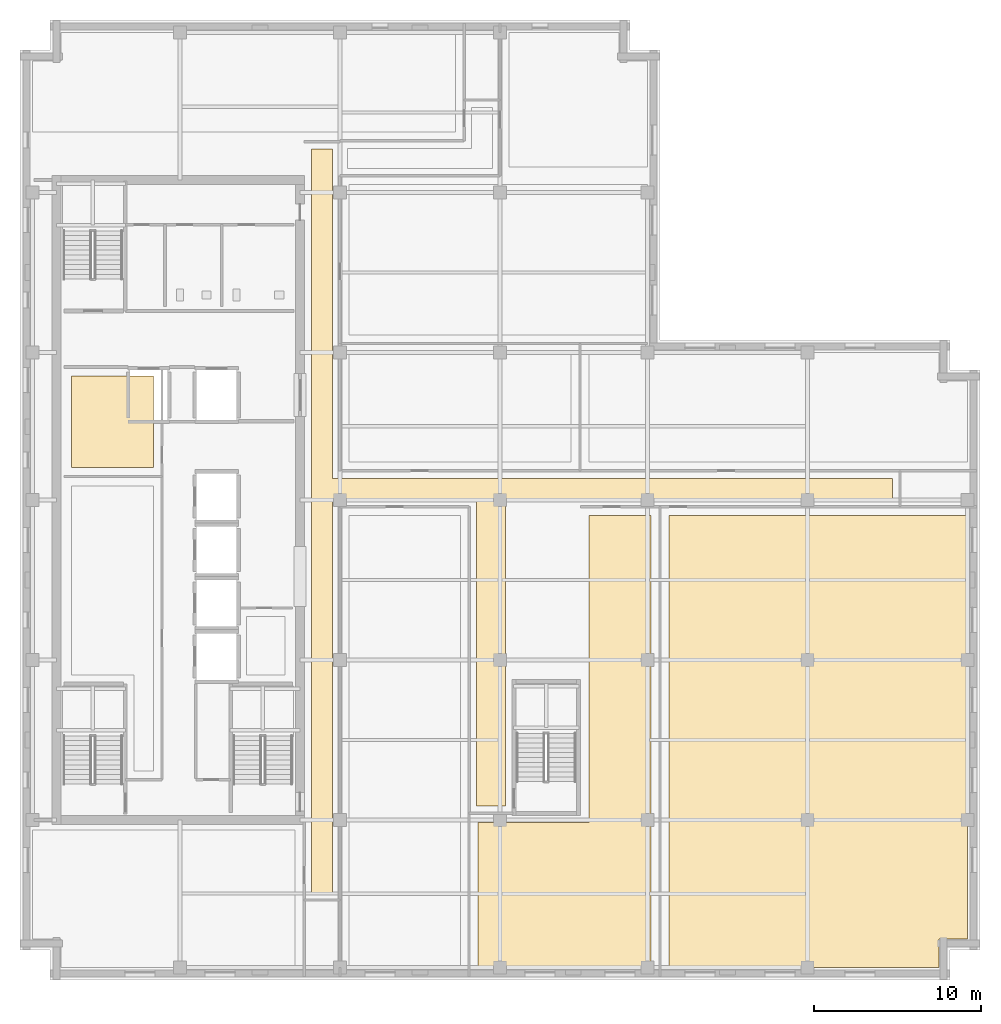
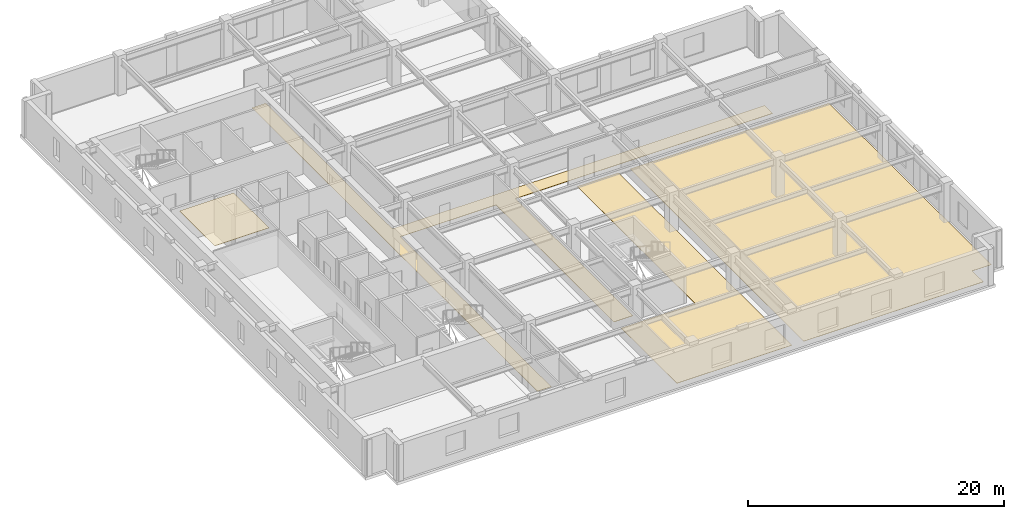
# One storey, part 8 of 11: 4 coverings.
"""IFC4 building model written with IfcOpenShell, lengths in metres."""

import ifcopenshell
import ifcopenshell.guid

model = None  # the IFC model being written
_history = None  # IfcOwnerHistory: only IFC2X3 demands one
_inside = {}  # id of a spatial element -> (the spatial element, [elements in it])
_under = {}  # id of a project, library or spatial element -> (it, [spatial elements below it])
_declared = {}  # id of a project -> (the project, [libraries it declares])
_typed = {}  # id of a type object -> (the type object, [elements of that type])
_made_of = {}  # id of a material, layer set ... -> (it, [elements and type objects made of it])


def new_model(schema):
    """Start an empty IFC model of exactly this schema.

    Asked for "IFC4X3", IfcOpenShell would pick the latest addendum, in which some entities
    have other attributes; the version numbers below select the first issue.
    IFC2X3 requires an IfcOwnerHistory on every rooted entity: one is made here for all.
    """
    global model, _history
    if schema == "IFC4X3":
        model = ifcopenshell.file(schema_version=(4, 3, 0, 0))
    else:
        model = ifcopenshell.file(schema=schema)
    _inside.clear()
    _under.clear()
    _declared.clear()
    _typed.clear()
    _made_of.clear()
    _history = None
    if model.schema == "IFC2X3":
        org = make("IfcOrganization", Name="unknown")
        user = make(
            "IfcPersonAndOrganization",
            ThePerson=make("IfcPerson", FamilyName="unknown"),
            TheOrganization=org,
        )
        app = make(
            "IfcApplication",
            ApplicationDeveloper=org,
            Version="unknown",
            ApplicationFullName="unknown",
            ApplicationIdentifier="unknown",
        )
        _history = make(
            "IfcOwnerHistory",
            OwningUser=user,
            OwningApplication=app,
            ChangeAction="ADDED",
            CreationDate=0,
        )
    return model


def make(cls, **values):
    """One entity of the class cls with the attributes given. An attribute that is None is left unset."""
    return model.create_entity(
        cls, **{name: value for name, value in values.items() if value is not None}
    )


def rooted(cls, **values):
    """An entity with a GlobalId (a new one), such as an element, a storey or a relation."""
    return make(cls, GlobalId=ifcopenshell.guid.new(), OwnerHistory=_history, **values)


def si_unit(unit_type, name, prefix=None):
    """IfcSIUnit, for example si_unit("LENGTHUNIT", "METRE", prefix="MILLI")."""
    return make("IfcSIUnit", UnitType=unit_type, Prefix=prefix, Name=name)


def assignment(units):
    """IfcUnitAssignment: the units of a project."""
    return None if units is None else make("IfcUnitAssignment", Units=units)


def point(xyz):
    """IfcCartesianPoint."""
    return None if xyz is None else make("IfcCartesianPoint", Coordinates=xyz)


def direction(xyz):
    """IfcDirection."""
    return None if xyz is None else make("IfcDirection", DirectionRatios=xyz)


def frame(location, z_axis=None, x_axis=None):
    """IfcAxis2Placement3D, a coordinate frame: its origin and axes. An axis left out is left unset."""
    return make(
        "IfcAxis2Placement3D",
        Location=point(location),
        Axis=direction(z_axis),
        RefDirection=direction(x_axis),
    )


def origin():
    """The frame at (0, 0, 0) with its axes left unset."""
    return frame((0.0, 0.0, 0.0))


def place(relative_to, where):
    """IfcLocalPlacement: puts the frame where relative to a parent placement (None: the world)."""
    return make(
        "IfcLocalPlacement", PlacementRelTo=relative_to, RelativePlacement=where
    )


def context(
    kind, dimensions, precision=None, world=None, true_north=None, identifier=None
):
    """IfcGeometricRepresentationContext, for example the 3D "Model" context."""
    return make(
        "IfcGeometricRepresentationContext",
        ContextIdentifier=identifier,
        ContextType=kind,
        CoordinateSpaceDimension=dimensions,
        Precision=precision,
        WorldCoordinateSystem=world,
        TrueNorth=true_north,
    )


def subcontext(parent, identifier, kind, view, scale=None):
    """IfcGeometricRepresentationSubContext, for example "Body" below "Model"."""
    return make(
        "IfcGeometricRepresentationSubContext",
        ContextIdentifier=identifier,
        ContextType=kind,
        ParentContext=parent,
        TargetScale=scale,
        TargetView=view,
    )


def project(units=None, contexts=None):
    """IfcProject with its units and contexts."""
    return rooted(
        "IfcProject",
        Name="project",
        RepresentationContexts=contexts,
        UnitsInContext=assignment(units),
    )


def spatial(cls, under=None, at=None, **own):
    """A site, building, storey or space (cls), placed at a placement, below another one or the project."""
    s = rooted(cls, ObjectPlacement=at, **own)
    if under is not None:
        _under.setdefault(under.id(), (under, []))[1].append(s)
    return s


def polyline(points):
    """IfcPolyline through the points."""
    return make("IfcPolyline", Points=[point(p) for p in points])


def outline(outer, holes=None, kind="AREA"):
    """IfcArbitraryClosedProfileDef: a profile drawn as a closed curve; with holes, ...WithVoids."""
    if holes is None:
        return make("IfcArbitraryClosedProfileDef", ProfileType=kind, OuterCurve=outer)
    return make(
        "IfcArbitraryProfileDefWithVoids",
        ProfileType=kind,
        OuterCurve=outer,
        InnerCurves=holes,
    )


def extrude(swept, where, along, depth):
    """IfcExtrudedAreaSolid: the profile swept, set in the frame where, extruded along a direction by depth."""
    return make(
        "IfcExtrudedAreaSolid",
        SweptArea=swept,
        Position=where,
        ExtrudedDirection=direction(along),
        Depth=depth,
    )


def shape(context_of_items, identifier, shape_type, items):
    """IfcShapeRepresentation: the items that make up one representation, for example the "Body"."""
    return make(
        "IfcShapeRepresentation",
        ContextOfItems=context_of_items,
        RepresentationIdentifier=identifier,
        RepresentationType=shape_type,
        Items=items,
    )


def material(Name=None, Category=None):
    """IfcMaterial."""
    return make("IfcMaterial", Name=Name, Category=Category)


def layer(
    of_material, thickness, ventilated=None, Name=None, Category=None, Priority=None
):
    """IfcMaterialLayer: one layer of a wall or slab, of a material (None: an air gap)."""
    return make(
        "IfcMaterialLayer",
        Material=of_material,
        LayerThickness=thickness,
        IsVentilated=ventilated,
        Name=Name,
        Category=Category,
        Priority=Priority,
    )


def layer_set(layers, Name=None):
    """IfcMaterialLayerSet."""
    return make("IfcMaterialLayerSet", MaterialLayers=layers, LayerSetName=Name)


def made_of(thing, what):
    """Note that an element or type object is made of a material, layer set ...; save() writes the relation."""
    if what is not None:
        _made_of.setdefault(what.id(), (what, []))[1].append(thing)
    return thing


def type_object(cls, material=None, **own):
    """A type object (cls), such as IfcWallType, which elements share."""
    return made_of(rooted(cls, **own), material)


def element(
    cls,
    number,
    at=None,
    inside=None,
    cuts=None,
    type_object=None,
    material=None,
    context=None,
    identifier="Body",
    shape_type=None,
    held_by="IfcProductDefinitionShape",
    body=None,
    shapes=None,
    **own,
):
    """One element of the class cls, such as IfcWall. Its Tag is "e" and its number.

    at: its placement. inside: the storey or other place that contains it. cuts: it is an
    opening in that element (IfcRelVoidsElement). A single representation is given by context,
    identifier, shape_type and body (its items); several are given by shapes. held_by: the class
    of the entity that holds the representations. save() writes the other relations.
    """
    e = rooted(cls, Tag="e%d" % number, ObjectPlacement=at, **own)
    if body is not None:
        shapes = [shape(context, identifier, shape_type, body)]
    if shapes is not None:
        e.Representation = make(held_by, Representations=shapes)
    if inside is not None:
        _inside.setdefault(inside.id(), (inside, []))[1].append(e)
    if cuts is not None:
        rooted(
            "IfcRelVoidsElement", RelatingBuildingElement=cuts, RelatedOpeningElement=e
        )
    if type_object is not None:
        _typed.setdefault(type_object.id(), (type_object, []))[1].append(e)
    return made_of(e, material)


def aggregate(whole, parts):
    """IfcRelAggregates: a whole, such as a stair, and the parts it consists of."""
    return rooted("IfcRelAggregates", RelatingObject=whole, RelatedObjects=parts)


def save(model, path):
    """Write the relations noted so far, then the file.

    IfcRelAggregates (storeys below a building ...), IfcRelContainedInSpatialStructure (elements
    in a storey), IfcRelDefinesByType, IfcRelAssociatesMaterial and IfcRelDeclares: one each for
    every whole, place, type object, material and project.
    """
    for whole, parts in _under.values():
        aggregate(whole, parts)
    for where, things in _inside.values():
        rooted(
            "IfcRelContainedInSpatialStructure",
            RelatedElements=things,
            RelatingStructure=where,
        )
    for kind, things in _typed.values():
        rooted("IfcRelDefinesByType", RelatedObjects=things, RelatingType=kind)
    for what, things in _made_of.values():
        rooted("IfcRelAssociatesMaterial", RelatedObjects=things, RelatingMaterial=what)
    for by, libraries in _declared.values():
        rooted("IfcRelDeclares", RelatingContext=by, RelatedDefinitions=libraries)
    model.write(path)


model = new_model("IFC4")

# Units and contexts
model_context = context("Model", 3, precision=1e-05, world=origin(), true_north=direction((0.0, 1.0)))
body_context = subcontext(model_context, "Body", "Model", "MODEL_VIEW")
ifc_project = project(units=[si_unit("LENGTHUNIT", "METRE"), si_unit("AREAUNIT", "SQUARE_METRE"), si_unit("VOLUMEUNIT", "CUBIC_METRE"), si_unit("PLANEANGLEUNIT", "RADIAN"), si_unit("MASSUNIT", "GRAM", prefix="KILO")], contexts=[model_context])

# Site, building, storey
site_placement = place(None, origin())
site = spatial("IfcSite", under=ifc_project, at=site_placement, CompositionType="ELEMENT")
building_placement = place(site_placement, origin())
building = spatial("IfcBuilding", under=site, at=building_placement, Name="Norrvale University Quadrangle", CompositionType="ELEMENT")
storey_placement = place(building_placement, frame((0.0, 0.0, 252.199951171875)))
storey = spatial("IfcBuildingStorey", under=building, at=storey_placement, Name="L64", CompositionType="ELEMENT", Elevation=252.199951171875)

# Coverings
ifc_material_1 = material(Name="Perforated Acoustic Mineral Ceiling")
ifc_layer_1 = layer(ifc_material_1, 0.02490234375, Name="Perforated Acoustic Mineral Ceiling")
ifc_layer_set_1 = layer_set([ifc_layer_1], Name="Perforated Acoustic Mineral Ceiling")
covering_type_1 = type_object("IfcCoveringType", Name="Covering Acoustic Ceiling 25", PredefinedType="CEILING", material=ifc_layer_set_1)
covering_1_placement = place(storey_placement, frame((0.0, 0.0, 3.455078125)))
element("IfcCovering", 1, at=covering_1_placement, inside=storey, type_object=covering_type_1, Name="Acoustic Ceiling RM-L64-REC2", PredefinedType="CEILING", context=body_context, shape_type="SweptSolid", body=[
    extrude(outline(polyline([(3.10009765625, 30.75), (3.10009765625, 36.25), (8.0, 36.25), (8.0, 30.75), (3.10009765625, 30.75)])), origin(), (0.0, 0.0, 1.0), 0.02490234375),
])
ifc_material_2 = material(Name="Polished Terrazzo Flooring")
ifc_layer_2 = layer(ifc_material_2, 0.02490234375, Name="Polished Terrazzo Flooring")
ifc_layer_set_2 = layer_set([ifc_layer_2], Name="Polished Terrazzo Flooring")
covering_type_2 = type_object("IfcCoveringType", Name="Covering Terrazzo Floor 30", PredefinedType="FLOORING", material=ifc_layer_set_2)
covering_2_placement = place(storey_placement, origin())
element("IfcCovering", 2, at=covering_2_placement, inside=storey, type_object=covering_type_2, Name="Terrazzo Flooring RM-L64-CORR1", PredefinedType="FLOORING", context=body_context, shape_type="SweptSolid", body=[
    extrude(outline(polyline([(17.5, 5.25), (17.5, 49.85009765625), (18.75, 49.85009765625), (18.75, 30.10009765625), (52.35009765625, 30.10009765625), (52.35009765625, 28.85009765625), (29.1298828125, 28.85009765625), (29.1298828125, 10.449951171875), (27.39990234375, 10.449951171875), (27.39990234375, 28.85009765625), (18.75, 28.85009765625), (18.75, 5.25), (17.5, 5.25)])), origin(), (0.0, 0.0, 1.0), 0.025146484375),
])
covering_3_placement = place(storey_placement, origin())
element("IfcCovering", 3, at=covering_3_placement, inside=storey, type_object=covering_type_2, Name="Terrazzo Flooring RM-L64-SE2", PredefinedType="FLOORING", context=body_context, shape_type="SweptSolid", body=[
    extrude(outline(polyline([(27.47998046875, 9.449951171875), (34.14990234375, 9.449951171875), (34.14990234375, 27.8701171875), (37.8701171875, 27.8701171875), (37.8701171875, 0.75), (27.47998046875, 0.75), (27.47998046875, 9.449951171875)])), origin(), (0.0, 0.0, 1.0), 0.025146484375),
])
covering_4_placement = place(storey_placement, origin())
element("IfcCovering", 4, at=covering_4_placement, inside=storey, type_object=covering_type_2, Name="Terrazzo Flooring RM-L64-SE3", PredefinedType="FLOORING", context=body_context, shape_type="SweptSolid", body=[
    extrude(outline(polyline([(38.929931640625, 0.75), (38.929931640625, 27.8701171875), (56.85009765625, 27.8701171875), (56.85009765625, 2.469970703125), (55.1298828125, 2.469970703125), (55.1298828125, 0.75), (38.929931640625, 0.75)])), origin(), (0.0, 0.0, 1.0), 0.025146484375),
])

save(model, "model.ifc")
